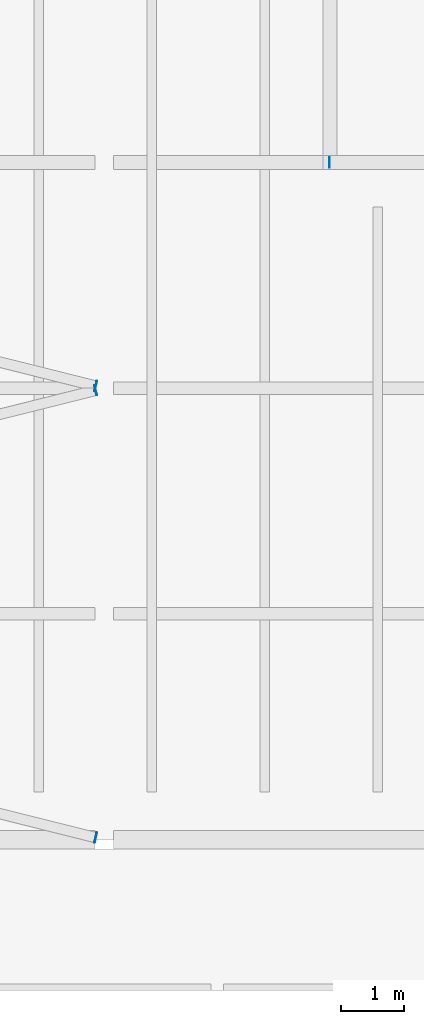
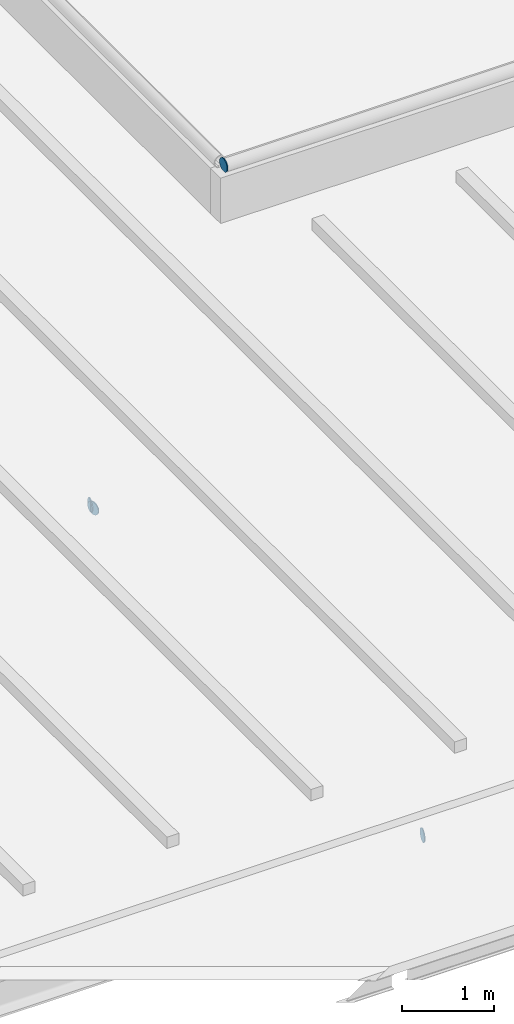
# One storey, part 74 of 120: 4 discrete accessories.
"""IFC4 building model written with IfcOpenShell, lengths in metres."""

from ifc_helpers import new_model, si_unit, direction, frame, origin, origin_2d, place, context, subcontext, project, spatial, circle, extrude, material, layer, layer_set, type_object, element, save


model = new_model("IFC4")

# Units and contexts
model_context = context("Model", 3, precision=1e-05, world=origin(), true_north=direction((0.0, 1.0)))
body_context = subcontext(model_context, "Body", "Model", "MODEL_VIEW")
ifc_project = project(units=[si_unit("LENGTHUNIT", "METRE"), si_unit("AREAUNIT", "SQUARE_METRE"), si_unit("VOLUMEUNIT", "CUBIC_METRE"), si_unit("PLANEANGLEUNIT", "RADIAN"), si_unit("MASSUNIT", "GRAM", prefix="KILO")], contexts=[model_context])

# Site, building, storey
site_placement = place(None, origin())
site = spatial("IfcSite", under=ifc_project, at=site_placement, CompositionType="ELEMENT")
building_placement = place(site_placement, origin())
building = spatial("IfcBuilding", under=site, at=building_placement, Name="Kupolbacken Congress Centre", CompositionType="ELEMENT")
storey_placement = place(building_placement, frame((0.0, 0.0, 21.60009765625)))
storey = spatial("IfcBuildingStorey", under=building, at=storey_placement, Name="L06", CompositionType="ELEMENT", Elevation=21.60009765625)

# Discrete accessories
ifc_material = material(Name="Steel S355", Category="steel")
ifc_layer = layer(ifc_material, 0.011962890625)
ifc_layer_set = layer_set([ifc_layer], Name="Steel S355")
discrete_accessory_type = type_object("IfcDiscreteAccessoryType", Name="EC2 tube end cap plate 168 dia x 12", PredefinedType="BRACKET", material=ifc_layer_set)
for number, where, z_axis, x_axis, name in (
    (1, (136.6591796875, 43.235107421875, -0.084228515625), (0.974732318528, -0.223376156329, 0.0), (0.223376156329, 0.974732318528, 0.0), "End cap plate HR/RB/03-00 A"),
    (2, (136.6591796875, 50.36474609375, -0.084228515625), (0.970142500145, 0.242535625036, 0.0), (-0.242535625036, 0.970142500145, 0.0), "End cap plate HR/RB/03-01 B"),
    (3, (136.6591796875, 50.435302734375, -0.084228515625), (0.970142500145, -0.242535625036, 0.0), (0.242535625036, 0.970142500145, 0.0), "End cap plate HR/RB/03-02 A"),
    (4, (140.39990234375, 54.0, 0.944091796875), (-1.0, 0.0, 0.0), (0.0, -1.0, 0.0), "End cap plate RD/RL4/FS A"),
):
    element("IfcDiscreteAccessory", number, at=place(storey_placement, frame(where, z_axis=z_axis, x_axis=x_axis)), inside=storey, type_object=discrete_accessory_type, Name=name, PredefinedType="BRACKET", context=body_context, shape_type="SweptSolid", body=[
        extrude(circle(Radius=0.084228515625, at=origin_2d()), origin(), (0.0, 0.0, 1.0), 0.011962890625),
    ])

save(model, "model.ifc")
